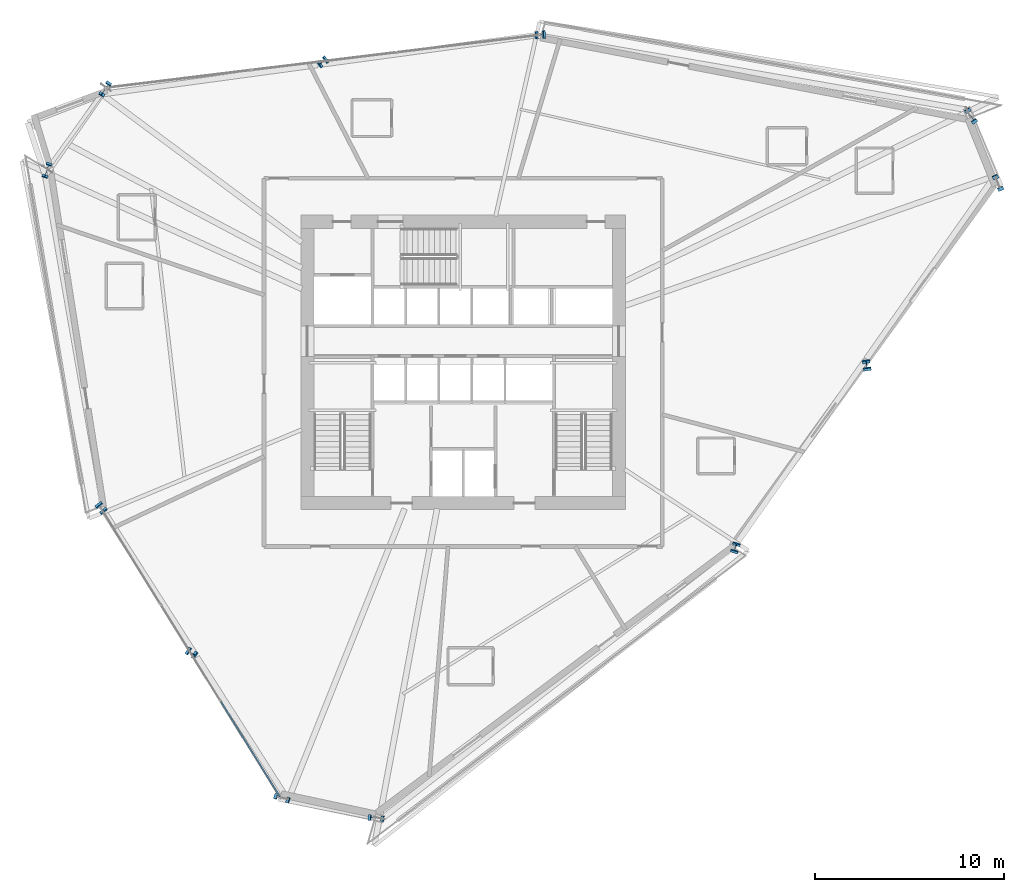
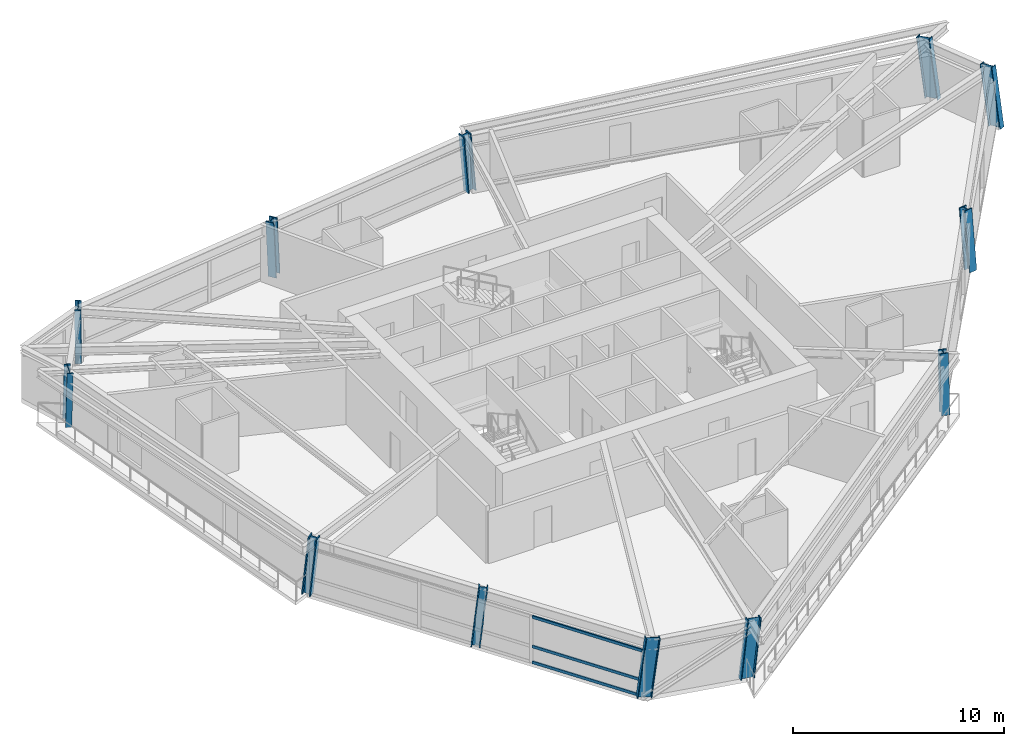
# One storey, part 1 of 18: 12 columns, 3 members, 1 element without a shape of its own.
"""IFC4 building model written with IfcOpenShell, lengths in metres."""

import ifcopenshell
import ifcopenshell.guid

model = None  # the IFC model being written
_history = None  # IfcOwnerHistory: only IFC2X3 demands one
_inside = {}  # id of a spatial element -> (the spatial element, [elements in it])
_under = {}  # id of a project, library or spatial element -> (it, [spatial elements below it])
_declared = {}  # id of a project -> (the project, [libraries it declares])
_typed = {}  # id of a type object -> (the type object, [elements of that type])
_made_of = {}  # id of a material, layer set ... -> (it, [elements and type objects made of it])


def new_model(schema):
    """Start an empty IFC model of exactly this schema.

    Asked for "IFC4X3", IfcOpenShell would pick the latest addendum, in which some entities
    have other attributes; the version numbers below select the first issue.
    IFC2X3 requires an IfcOwnerHistory on every rooted entity: one is made here for all.
    """
    global model, _history
    if schema == "IFC4X3":
        model = ifcopenshell.file(schema_version=(4, 3, 0, 0))
    else:
        model = ifcopenshell.file(schema=schema)
    _inside.clear()
    _under.clear()
    _declared.clear()
    _typed.clear()
    _made_of.clear()
    _history = None
    if model.schema == "IFC2X3":
        org = make("IfcOrganization", Name="unknown")
        user = make(
            "IfcPersonAndOrganization",
            ThePerson=make("IfcPerson", FamilyName="unknown"),
            TheOrganization=org,
        )
        app = make(
            "IfcApplication",
            ApplicationDeveloper=org,
            Version="unknown",
            ApplicationFullName="unknown",
            ApplicationIdentifier="unknown",
        )
        _history = make(
            "IfcOwnerHistory",
            OwningUser=user,
            OwningApplication=app,
            ChangeAction="ADDED",
            CreationDate=0,
        )
    return model


def make(cls, **values):
    """One entity of the class cls with the attributes given. An attribute that is None is left unset."""
    return model.create_entity(
        cls, **{name: value for name, value in values.items() if value is not None}
    )


def rooted(cls, **values):
    """An entity with a GlobalId (a new one), such as an element, a storey or a relation."""
    return make(cls, GlobalId=ifcopenshell.guid.new(), OwnerHistory=_history, **values)


def si_unit(unit_type, name, prefix=None):
    """IfcSIUnit, for example si_unit("LENGTHUNIT", "METRE", prefix="MILLI")."""
    return make("IfcSIUnit", UnitType=unit_type, Prefix=prefix, Name=name)


def assignment(units):
    """IfcUnitAssignment: the units of a project."""
    return None if units is None else make("IfcUnitAssignment", Units=units)


def point(xyz):
    """IfcCartesianPoint."""
    return None if xyz is None else make("IfcCartesianPoint", Coordinates=xyz)


def direction(xyz):
    """IfcDirection."""
    return None if xyz is None else make("IfcDirection", DirectionRatios=xyz)


def frame(location, z_axis=None, x_axis=None):
    """IfcAxis2Placement3D, a coordinate frame: its origin and axes. An axis left out is left unset."""
    return make(
        "IfcAxis2Placement3D",
        Location=point(location),
        Axis=direction(z_axis),
        RefDirection=direction(x_axis),
    )


def frame_2d(location, x_axis=None):
    """IfcAxis2Placement2D, a coordinate frame in the plane: its origin and x axis."""
    return make(
        "IfcAxis2Placement2D", Location=point(location), RefDirection=direction(x_axis)
    )


def origin():
    """The frame at (0, 0, 0) with its axes left unset."""
    return frame((0.0, 0.0, 0.0))


def origin_2d():
    """The frame at (0, 0) in the plane with its x axis left unset."""
    return frame_2d((0.0, 0.0))


def place(relative_to, where):
    """IfcLocalPlacement: puts the frame where relative to a parent placement (None: the world)."""
    return make(
        "IfcLocalPlacement", PlacementRelTo=relative_to, RelativePlacement=where
    )


def context(
    kind, dimensions, precision=None, world=None, true_north=None, identifier=None
):
    """IfcGeometricRepresentationContext, for example the 3D "Model" context."""
    return make(
        "IfcGeometricRepresentationContext",
        ContextIdentifier=identifier,
        ContextType=kind,
        CoordinateSpaceDimension=dimensions,
        Precision=precision,
        WorldCoordinateSystem=world,
        TrueNorth=true_north,
    )


def subcontext(parent, identifier, kind, view, scale=None):
    """IfcGeometricRepresentationSubContext, for example "Body" below "Model"."""
    return make(
        "IfcGeometricRepresentationSubContext",
        ContextIdentifier=identifier,
        ContextType=kind,
        ParentContext=parent,
        TargetScale=scale,
        TargetView=view,
    )


def project(units=None, contexts=None):
    """IfcProject with its units and contexts."""
    return rooted(
        "IfcProject",
        Name="project",
        RepresentationContexts=contexts,
        UnitsInContext=assignment(units),
    )


def spatial(cls, under=None, at=None, **own):
    """A site, building, storey or space (cls), placed at a placement, below another one or the project."""
    s = rooted(cls, ObjectPlacement=at, **own)
    if under is not None:
        _under.setdefault(under.id(), (under, []))[1].append(s)
    return s


def profile(cls, at=None, kind="AREA", **sizes):
    """A parametric profile (cls). Its sizes go by their IFC names, for example OverallWidth=200.0."""
    return make(cls, ProfileType=kind, Position=at, **sizes)


def hollow_rectangle(**sizes):
    """IfcRectangleHollowProfileDef."""
    return profile("IfcRectangleHollowProfileDef", **sizes)


def i_section(**sizes):
    """IfcIShapeProfileDef."""
    return profile("IfcIShapeProfileDef", **sizes)


def extrude(swept, where, along, depth):
    """IfcExtrudedAreaSolid: the profile swept, set in the frame where, extruded along a direction by depth."""
    return make(
        "IfcExtrudedAreaSolid",
        SweptArea=swept,
        Position=where,
        ExtrudedDirection=direction(along),
        Depth=depth,
    )


def shape(context_of_items, identifier, shape_type, items):
    """IfcShapeRepresentation: the items that make up one representation, for example the "Body"."""
    return make(
        "IfcShapeRepresentation",
        ContextOfItems=context_of_items,
        RepresentationIdentifier=identifier,
        RepresentationType=shape_type,
        Items=items,
    )


def source(mapping_origin, context_of_items, identifier, shape_type, items):
    """IfcRepresentationMap: a shape defined once, which mapped items show again and again."""
    return make(
        "IfcRepresentationMap",
        MappingOrigin=mapping_origin,
        MappedRepresentation=shape(context_of_items, identifier, shape_type, items),
    )


def transform(
    local_origin,
    x_axis=None,
    y_axis=None,
    z_axis=None,
    scale=None,
    scale2=None,
    scale3=None,
    uniform=True,
):
    """IfcCartesianTransformationOperator3D, or its non-uniform kind. x_axis, y_axis, z_axis: its Axis1, 2, 3."""
    if uniform:
        return make(
            "IfcCartesianTransformationOperator3D",
            Axis1=direction(x_axis),
            Axis2=direction(y_axis),
            LocalOrigin=point(local_origin),
            Scale=scale,
            Axis3=direction(z_axis),
        )
    return make(
        "IfcCartesianTransformationOperator3DnonUniform",
        Axis1=direction(x_axis),
        Axis2=direction(y_axis),
        LocalOrigin=point(local_origin),
        Scale=scale,
        Axis3=direction(z_axis),
        Scale2=scale2,
        Scale3=scale3,
    )


def mapped(mapping_source, mapping_target):
    """IfcMappedItem: shows the shape of a source again, moved by a transform."""
    return make(
        "IfcMappedItem", MappingSource=mapping_source, MappingTarget=mapping_target
    )


def material(Name=None, Category=None):
    """IfcMaterial."""
    return make("IfcMaterial", Name=Name, Category=Category)


def material_profile(
    of_material, cross_section, Name=None, Category=None, Priority=None
):
    """IfcMaterialProfile: a cross section and its material."""
    return make(
        "IfcMaterialProfile",
        Name=Name,
        Material=of_material,
        Profile=cross_section,
        Priority=Priority,
        Category=Category,
    )


def profile_set(profiles, Name=None, composite=None):
    """IfcMaterialProfileSet."""
    return make(
        "IfcMaterialProfileSet",
        Name=Name,
        MaterialProfiles=profiles,
        CompositeProfile=composite,
    )


def made_of(thing, what):
    """Note that an element or type object is made of a material, layer set ...; save() writes the relation."""
    if what is not None:
        _made_of.setdefault(what.id(), (what, []))[1].append(thing)
    return thing


def type_object(cls, material=None, **own):
    """A type object (cls), such as IfcWallType, which elements share."""
    return made_of(rooted(cls, **own), material)


def element(
    cls,
    number,
    at=None,
    inside=None,
    cuts=None,
    type_object=None,
    material=None,
    context=None,
    identifier="Body",
    shape_type=None,
    held_by="IfcProductDefinitionShape",
    body=None,
    shapes=None,
    **own,
):
    """One element of the class cls, such as IfcWall. Its Tag is "e" and its number.

    at: its placement. inside: the storey or other place that contains it. cuts: it is an
    opening in that element (IfcRelVoidsElement). A single representation is given by context,
    identifier, shape_type and body (its items); several are given by shapes. held_by: the class
    of the entity that holds the representations. save() writes the other relations.
    """
    e = rooted(cls, Tag="e%d" % number, ObjectPlacement=at, **own)
    if body is not None:
        shapes = [shape(context, identifier, shape_type, body)]
    if shapes is not None:
        e.Representation = make(held_by, Representations=shapes)
    if inside is not None:
        _inside.setdefault(inside.id(), (inside, []))[1].append(e)
    if cuts is not None:
        rooted(
            "IfcRelVoidsElement", RelatingBuildingElement=cuts, RelatedOpeningElement=e
        )
    if type_object is not None:
        _typed.setdefault(type_object.id(), (type_object, []))[1].append(e)
    return made_of(e, material)


def aggregate(whole, parts):
    """IfcRelAggregates: a whole, such as a stair, and the parts it consists of."""
    return rooted("IfcRelAggregates", RelatingObject=whole, RelatedObjects=parts)


def save(model, path):
    """Write the relations noted so far, then the file.

    IfcRelAggregates (storeys below a building ...), IfcRelContainedInSpatialStructure (elements
    in a storey), IfcRelDefinesByType, IfcRelAssociatesMaterial and IfcRelDeclares: one each for
    every whole, place, type object, material and project.
    """
    for whole, parts in _under.values():
        aggregate(whole, parts)
    for where, things in _inside.values():
        rooted(
            "IfcRelContainedInSpatialStructure",
            RelatedElements=things,
            RelatingStructure=where,
        )
    for kind, things in _typed.values():
        rooted("IfcRelDefinesByType", RelatedObjects=things, RelatingType=kind)
    for what, things in _made_of.values():
        rooted("IfcRelAssociatesMaterial", RelatedObjects=things, RelatingMaterial=what)
    for by, libraries in _declared.values():
        rooted("IfcRelDeclares", RelatingContext=by, RelatedDefinitions=libraries)
    model.write(path)


model = new_model("IFC4")

# Units and contexts
model_context = context("Model", 3, precision=1e-05, world=origin(), true_north=direction((0.0, 1.0)))
body_context = subcontext(model_context, "Body", "Model", "MODEL_VIEW")
ifc_project = project(units=[si_unit("LENGTHUNIT", "METRE"), si_unit("AREAUNIT", "SQUARE_METRE"), si_unit("VOLUMEUNIT", "CUBIC_METRE"), si_unit("PLANEANGLEUNIT", "RADIAN"), si_unit("MASSUNIT", "GRAM", prefix="KILO")], contexts=[model_context])

# Site, building, storey
site_placement = place(None, origin())
site = spatial("IfcSite", under=ifc_project, at=site_placement, CompositionType="ELEMENT")
building_placement = place(site_placement, origin())
building = spatial("IfcBuilding", under=site, at=building_placement, Name="Olszyna Solenne Hotel", CompositionType="ELEMENT")
storey_placement = place(building_placement, frame((0.0, 0.0, 123.449951171875)))
storey = spatial("IfcBuildingStorey", under=building, at=storey_placement, Name="L32", CompositionType="ELEMENT", Elevation=123.449951171875)

# Columns
ifc_material_1 = material(Name="Steel S460M", Category="steel")
ifc_material_profile_1 = material_profile(ifc_material_1, i_section(OverallWidth=0.41796875, OverallDepth=0.455078125, WebThickness=0.03759765625, FlangeThickness=0.05908203125, at=origin_2d()), Name="HD 400x551", Category="load-bearing")
ifc_profile_set_1 = profile_set([ifc_material_profile_1], Name="Steel S460M")
column_type_1 = type_object("IfcColumnType", Name="COL-T2", PredefinedType="COLUMN", material=ifc_profile_set_1)
shared_shape_1 = source(origin(), body_context, "Body", "SweptSolid", [
    extrude(i_section(OverallWidth=0.41796875, OverallDepth=0.455078125, WebThickness=0.03759765625, FlangeThickness=0.05908203125, at=origin_2d()), origin(), (0.0, 0.0, 1.0), 3.397705078125),
])
column_1_placement = place(storey_placement, frame((52.400390625, 16.729248046875, 0.0), z_axis=(0.025364652364, 0.082560865627, 0.996263187053), x_axis=(-0.955904837119, 0.293676594868, 0.0)))
element("IfcColumn", 1, at=column_1_placement, inside=storey, type_object=column_type_1, Name="Perimeter framed-tube column COL-T2 C-L32-11", PredefinedType="COLUMN", context=body_context, shape_type="MappedRepresentation", body=[
    mapped(shared_shape_1, transform((0.0, 0.0, 0.0), x_axis=(1.0, 0.0, 0.0), y_axis=(0.0, 1.0, 0.0), z_axis=(0.0, 0.0, 1.0), scale=1.0)),
])
shared_shape_2 = source(origin(), body_context, "Body", "SweptSolid", [
    extrude(i_section(OverallWidth=0.41796875, OverallDepth=0.455078125, WebThickness=0.03759765625, FlangeThickness=0.05908203125, at=origin_2d()), origin(), (0.0, 0.0, 1.0), 3.40478515625),
])
column_2_placement = place(storey_placement, frame((59.382080078125, 26.379638671875, 0.0), z_axis=(-0.01663532253, 0.106480404985, 0.994175633074), x_axis=(-0.988015204801, -0.154356584184, 0.0)))
element("IfcColumn", 2, at=column_2_placement, inside=storey, type_object=column_type_1, Name="Perimeter framed-tube column COL-T2 C-L32-12", PredefinedType="COLUMN", context=body_context, shape_type="MappedRepresentation", body=[
    mapped(shared_shape_2, transform((0.0, 0.0, 0.0), x_axis=(1.0, 0.0, 0.0), y_axis=(0.0, 1.0, 0.0), z_axis=(0.0, 0.0, 1.0), scale=1.0)),
])
ifc_material_profile_2 = material_profile(ifc_material_1, i_section(OverallWidth=0.303955078125, OverallDepth=0.716064453125, WebThickness=0.02099609375, FlangeThickness=0.0400390625, at=origin_2d()), Name="HEM 700", Category="load-bearing")
ifc_profile_set_2 = profile_set([ifc_material_profile_2], Name="Steel S460M")
column_type_2 = type_object("IfcColumnType", Name="COL-K2", PredefinedType="COLUMN", material=ifc_profile_set_2)
shared_shape_3 = source(origin(), body_context, "Body", "SweptSolid", [
    extrude(i_section(OverallWidth=0.303955078125, OverallDepth=0.716064453125, WebThickness=0.02099609375, FlangeThickness=0.0400390625, at=origin_2d()), origin(), (0.0, 0.0, 1.0), 3.405029296875),
])
column_3_placement = place(storey_placement, frame((33.32080078125, 2.46435546875, 0.0), z_axis=(0.107623996399, -0.009966512658, 0.994141712245), x_axis=(0.092210391017, 0.995739546161, 0.0)))
element("IfcColumn", 3, at=column_3_placement, inside=storey, type_object=column_type_2, Name="Perimeter framed-tube column COL-K2 C-L32-10", PredefinedType="COLUMN", context=body_context, shape_type="MappedRepresentation", body=[
    mapped(shared_shape_3, transform((0.0, 0.0, 0.0), x_axis=(1.0, 0.0, 0.0), y_axis=(0.0, 1.0, 0.0), z_axis=(0.0, 0.0, 1.0), scale=1.0)),
])
shared_shape_4 = source(origin(), body_context, "Body", "SweptSolid", [
    extrude(i_section(OverallWidth=0.303955078125, OverallDepth=0.716064453125, WebThickness=0.02099609375, FlangeThickness=0.0400390625, at=origin_2d()), origin(), (0.0, 0.0, 1.0), 3.408203125),
])
column_4_placement = place(storey_placement, frame((19.0732421875, 41.143798828125, 0.0), z_axis=(-0.06224977638, -0.098353214005, 0.993202703699), x_axis=(0.844976677144, -0.534803155454, 0.0)))
element("IfcColumn", 4, at=column_4_placement, inside=storey, type_object=column_type_2, Name="Perimeter framed-tube column COL-K2 C-L32-05", PredefinedType="COLUMN", context=body_context, shape_type="MappedRepresentation", body=[
    mapped(shared_shape_4, transform((0.0, 0.0, 0.0), x_axis=(1.0, 0.0, 0.0), y_axis=(0.0, 1.0, 0.0), z_axis=(0.0, 0.0, 1.0), scale=1.0)),
])
shared_shape_5 = source(origin(), body_context, "Body", "SweptSolid", [
    extrude(i_section(OverallWidth=0.303955078125, OverallDepth=0.716064453125, WebThickness=0.02099609375, FlangeThickness=0.0400390625, at=origin_2d()), origin(), (0.0, 0.0, 1.0), 3.410888671875),
])
column_5_placement = place(storey_placement, frame((28.3251953125, 3.535400390625, 0.0), z_axis=(0.117318130855, -0.035932703898, 0.99244410269), x_axis=(0.292855781386, 0.956156624884, 0.0)))
element("IfcColumn", 5, at=column_5_placement, inside=storey, type_object=column_type_2, Name="Perimeter framed-tube column COL-K2 C-L32-09", PredefinedType="COLUMN", context=body_context, shape_type="MappedRepresentation", body=[
    mapped(shared_shape_5, transform((0.0, 0.0, 0.0), x_axis=(1.0, 0.0, 0.0), y_axis=(0.0, 1.0, 0.0), z_axis=(0.0, 0.0, 1.0), scale=1.0)),
])
shared_shape_6 = source(origin(), body_context, "Body", "SweptSolid", [
    extrude(i_section(OverallWidth=0.303955078125, OverallDepth=0.716064453125, WebThickness=0.02099609375, FlangeThickness=0.0400390625, at=origin_2d()), origin(), (0.0, 0.0, 1.0), 3.419921875),
])
column_6_placement = place(storey_placement, frame((66.364013671875, 36.0302734375, 0.0), z_axis=(-0.058395844812, 0.129927185279, 0.989802430707), x_axis=(-0.912108953762, -0.409947870427, 0.0)))
element("IfcColumn", 6, at=column_6_placement, inside=storey, type_object=column_type_2, Name="Perimeter framed-tube column COL-K2 C-L32-01", PredefinedType="COLUMN", context=body_context, shape_type="MappedRepresentation", body=[
    mapped(shared_shape_6, transform((0.0, 0.0, 0.0), x_axis=(1.0, 0.0, 0.0), y_axis=(0.0, 1.0, 0.0), z_axis=(0.0, 0.0, 1.0), scale=1.0)),
])
shared_shape_7 = source(origin(), body_context, "Body", "SweptSolid", [
    extrude(i_section(OverallWidth=0.303955078125, OverallDepth=0.716064453125, WebThickness=0.02099609375, FlangeThickness=0.0400390625, at=origin_2d()), origin(), (0.0, 0.0, 1.0), 3.41552734375),
])
column_7_placement = place(storey_placement, frame((64.94580078125, 39.584716796875, 0.0), z_axis=(-0.07047959591, 0.113153347186, 0.991074642285), x_axis=(-0.848810648346, -0.528696967321, 0.0)))
element("IfcColumn", 7, at=column_7_placement, inside=storey, type_object=column_type_2, Name="Perimeter framed-tube column COL-K2 C-L32-02", PredefinedType="COLUMN", context=body_context, shape_type="MappedRepresentation", body=[
    mapped(shared_shape_7, transform((0.0, 0.0, 0.0), x_axis=(1.0, 0.0, 0.0), y_axis=(0.0, 1.0, 0.0), z_axis=(0.0, 0.0, 1.0), scale=1.0)),
])
shared_shape_8 = source(origin(), body_context, "Body", "SweptSolid", [
    extrude(i_section(OverallWidth=0.41796875, OverallDepth=0.455078125, WebThickness=0.03759765625, FlangeThickness=0.05908203125, at=origin_2d()), origin(), (0.0, 0.0, 1.0), 3.39697265625),
])
column_8_placement = place(storey_placement, frame((42.131591796875, 43.951416015625, 0.0), z_axis=(-0.083584828026, -0.006755781457, 0.9964777649), x_axis=(0.080562731554, -0.996749540398, 0.0)))
element("IfcColumn", 8, at=column_8_placement, inside=storey, type_object=column_type_1, Name="Perimeter framed-tube column COL-T2 C-L32-03", PredefinedType="COLUMN", context=body_context, shape_type="MappedRepresentation", body=[
    mapped(shared_shape_8, transform((0.0, 0.0, 0.0), x_axis=(1.0, 0.0, 0.0), y_axis=(0.0, 1.0, 0.0), z_axis=(0.0, 0.0, 1.0), scale=1.0)),
])
shared_shape_9 = source(origin(), body_context, "Body", "SweptSolid", [
    extrude(i_section(OverallWidth=0.41796875, OverallDepth=0.455078125, WebThickness=0.03759765625, FlangeThickness=0.05908203125, at=origin_2d()), origin(), (0.0, 0.0, 1.0), 3.404296875),
])
column_9_placement = place(storey_placement, frame((23.5537109375, 11.23779296875, 0.0), z_axis=(0.089644841489, -0.057014119187, 0.994340581797), x_axis=(0.536657078797, 0.84380043836, 0.0)))
element("IfcColumn", 9, at=column_9_placement, inside=storey, type_object=column_type_1, Name="Perimeter framed-tube column COL-T2 C-L32-08", PredefinedType="COLUMN", context=body_context, shape_type="MappedRepresentation", body=[
    mapped(shared_shape_9, transform((0.0, 0.0, 0.0), x_axis=(1.0, 0.0, 0.0), y_axis=(0.0, 1.0, 0.0), z_axis=(0.0, 0.0, 1.0), scale=1.0)),
])
shared_shape_10 = source(origin(), body_context, "Body", "SweptSolid", [
    extrude(i_section(OverallWidth=0.41796875, OverallDepth=0.455078125, WebThickness=0.03759765625, FlangeThickness=0.05908203125, at=origin_2d()), origin(), (0.0, 0.0, 1.0), 3.398681640625),
])
column_10_placement = place(storey_placement, frame((30.602294921875, 42.547607421875, 0.0), z_axis=(-0.072908989981, -0.052724333641, 0.995943986287), x_axis=(0.585985969576, -0.810321197711, 0.0)))
element("IfcColumn", 10, at=column_10_placement, inside=storey, type_object=column_type_1, Name="Perimeter framed-tube column COL-T2 C-L32-04", PredefinedType="COLUMN", context=body_context, shape_type="MappedRepresentation", body=[
    mapped(shared_shape_10, transform((0.0, 0.0, 0.0), x_axis=(1.0, 0.0, 0.0), y_axis=(0.0, 1.0, 0.0), z_axis=(0.0, 0.0, 1.0), scale=1.0)),
])
shared_shape_11 = source(origin(), body_context, "Body", "SweptSolid", [
    extrude(i_section(OverallWidth=0.303955078125, OverallDepth=0.716064453125, WebThickness=0.02099609375, FlangeThickness=0.0400390625, at=origin_2d()), origin(), (0.0, 0.0, 1.0), 3.40380859375),
])
column_11_placement = place(storey_placement, frame((15.970703125, 36.841552734375, 0.0), z_axis=(-0.033494892307, -0.099767441541, 0.994446856196), x_axis=(0.947999571076, -0.318271602942, 0.0)))
element("IfcColumn", 11, at=column_11_placement, inside=storey, type_object=column_type_2, Name="Perimeter framed-tube column COL-K2 C-L32-06", PredefinedType="COLUMN", context=body_context, shape_type="MappedRepresentation", body=[
    mapped(shared_shape_11, transform((0.0, 0.0, 0.0), x_axis=(1.0, 0.0, 0.0), y_axis=(0.0, 1.0, 0.0), z_axis=(0.0, 0.0, 1.0), scale=1.0)),
])
shared_shape_12 = source(origin(), body_context, "Body", "SweptSolid", [
    extrude(i_section(OverallWidth=0.41796875, OverallDepth=0.455078125, WebThickness=0.03759765625, FlangeThickness=0.05908203125, at=origin_2d()), origin(), (0.0, 0.0, 1.0), 3.40185546875),
])
column_12_placement = place(storey_placement, frame((18.78271484375, 18.940185546875, 0.0), z_axis=(0.061719052088, -0.078010011185, 0.995040299065), x_axis=(0.784235971921, 0.620462682476, 0.0)))
element("IfcColumn", 12, at=column_12_placement, inside=storey, type_object=column_type_1, Name="Perimeter framed-tube column COL-T2 C-L32-07", PredefinedType="COLUMN", context=body_context, shape_type="MappedRepresentation", body=[
    mapped(shared_shape_12, transform((0.0, 0.0, 0.0), x_axis=(1.0, 0.0, 0.0), y_axis=(0.0, 1.0, 0.0), z_axis=(0.0, 0.0, 1.0), scale=1.0)),
])

# Curtain wall, members
ifc_material_2 = material(Name="Anodised bronze aluminium", Category="aluminium")
curtain_wall_type = type_object("IfcCurtainWallType", Name="CW-SYS-3", PredefinedType="NOTDEFINED", material=ifc_material_2)
curtain_wall_placement = place(storey_placement, origin())
curtain_wall = element("IfcCurtainWall", 13, at=curtain_wall_placement, inside=storey, type_object=curtain_wall_type, Name="Unitised curtain wall CW-SYS-3 CW-L32-01", PredefinedType="NOTDEFINED")
ifc_material_profile_3 = material_profile(ifc_material_2, hollow_rectangle(XDim=0.074951171875, YDim=0.159912109375, WallThickness=0.00390625, at=origin_2d()), Name="TRAN 160x75x4", Category="load-bearing")
ifc_profile_set_3 = profile_set([ifc_material_profile_3], Name="Anodised bronze aluminium")
member_type = type_object("IfcMemberType", Name="CW-T1", PredefinedType="USERDEFINED", material=ifc_profile_set_3)
shared_shape_13 = source(origin(), body_context, "Body", "SweptSolid", [
    extrude(hollow_rectangle(XDim=0.074951171875, YDim=0.159912109375, WallThickness=0.00390625, at=origin_2d()), origin(), (0.0, 0.0, 1.0), 5.927734375),
])
member_1_placement = place(storey_placement, frame((25.1640625, 8.638427734375, 0.03759765625), z_axis=(0.526599883718, -0.850113264494, 0.0), x_axis=(0.850113264494, 0.526599883718, 0.0)))
member_1 = element("IfcMember", 14, at=member_1_placement, type_object=member_type, Name="Curtain-wall transom CW-T1 CT-L32-01-07", ObjectType="TRANSOM", PredefinedType="USERDEFINED", context=body_context, shape_type="MappedRepresentation", body=[
    mapped(shared_shape_13, transform((0.0, 0.0, 0.0), x_axis=(1.0, 0.0, 0.0), y_axis=(0.0, 1.0, 0.0), z_axis=(0.0, 0.0, 1.0), scale=1.0)),
])
member_2_placement = place(storey_placement, frame((25.1640625, 8.638427734375, 0.949951171875), z_axis=(0.526599883718, -0.850113264494, 0.0), x_axis=(0.850113264494, 0.526599883718, 0.0)))
member_2 = element("IfcMember", 15, at=member_2_placement, type_object=member_type, Name="Curtain-wall transom CW-T1 CT-L32-01-08", ObjectType="TRANSOM", PredefinedType="USERDEFINED", context=body_context, shape_type="MappedRepresentation", body=[
    mapped(shared_shape_13, transform((0.0, 0.0, 0.0), x_axis=(1.0, 0.0, 0.0), y_axis=(0.0, 1.0, 0.0), z_axis=(0.0, 0.0, 1.0), scale=1.0)),
])
member_3_placement = place(storey_placement, frame((25.1640625, 8.638427734375, 2.654541015625), z_axis=(0.526599883718, -0.850113264494, 0.0), x_axis=(0.850113264494, 0.526599883718, 0.0)))
member_3 = element("IfcMember", 16, at=member_3_placement, type_object=member_type, Name="Curtain-wall transom CW-T1 CT-L32-01-09", ObjectType="TRANSOM", PredefinedType="USERDEFINED", context=body_context, shape_type="MappedRepresentation", body=[
    mapped(shared_shape_13, transform((0.0, 0.0, 0.0), x_axis=(1.0, 0.0, 0.0), y_axis=(0.0, 1.0, 0.0), z_axis=(0.0, 0.0, 1.0), scale=1.0)),
])
aggregate(curtain_wall, [member_1, member_2, member_3])

save(model, "model.ifc")
